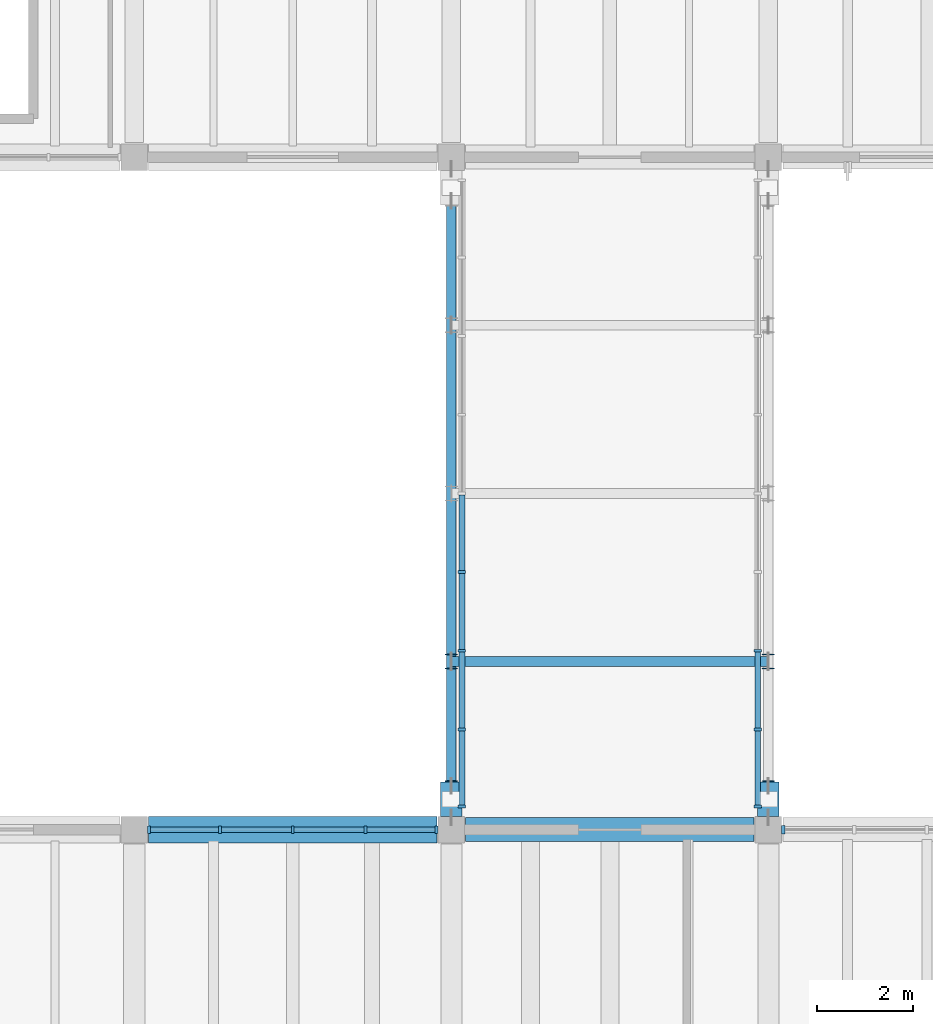
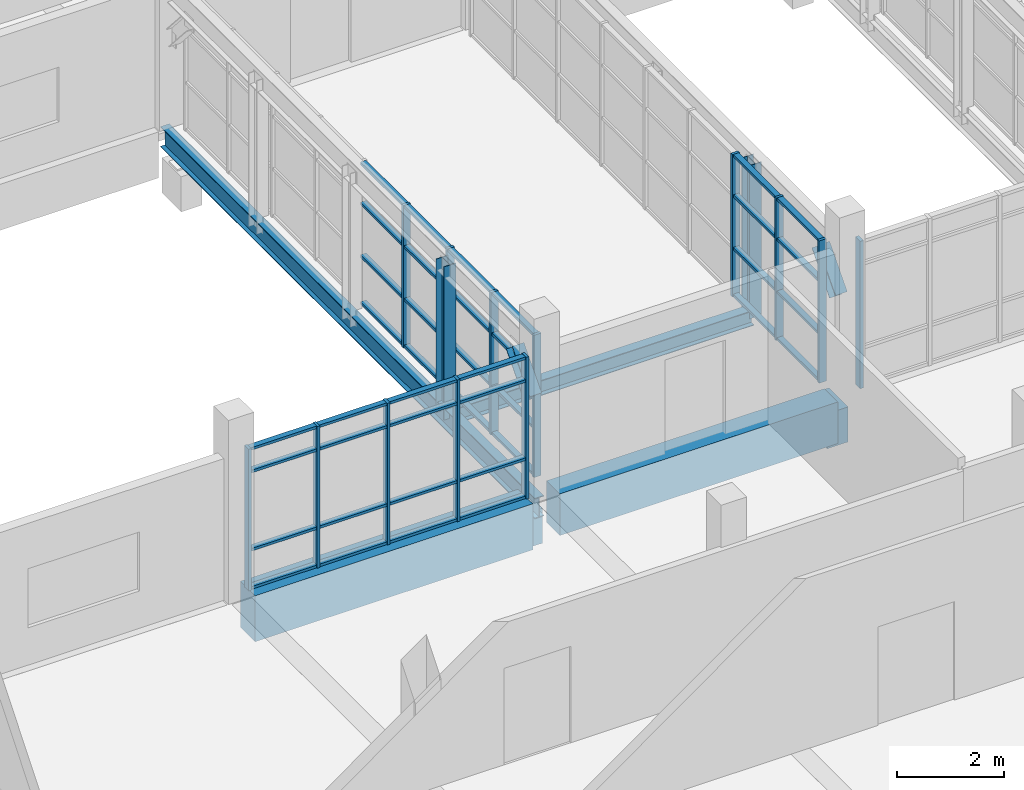
# One storey, part 18 of 67: 58 members, 5 beams, 4 elements without a shape of their own.
"""IFC4 building model written with IfcOpenShell, lengths in metres."""

from ifc_helpers import new_model, si_unit, direction, frame, origin, origin_2d, place, context, subcontext, project, spatial, rectangle, i_section, extrude, material, material_profile, profile_set, type_object, element, aggregate, save


model = new_model("IFC4")

# Units and contexts
model_context = context("Model", 3, precision=1e-05, world=origin(), true_north=direction((0.0, 1.0)))
body_context = subcontext(model_context, "Body", "Model", "MODEL_VIEW")
ifc_project = project(units=[si_unit("LENGTHUNIT", "METRE"), si_unit("AREAUNIT", "SQUARE_METRE"), si_unit("VOLUMEUNIT", "CUBIC_METRE"), si_unit("PLANEANGLEUNIT", "RADIAN"), si_unit("MASSUNIT", "GRAM", prefix="KILO")], contexts=[model_context])

# Site, building, storey
site_placement = place(None, origin())
site = spatial("IfcSite", under=ifc_project, at=site_placement, CompositionType="ELEMENT")
building_placement = place(site_placement, origin())
building = spatial("IfcBuilding", under=site, at=building_placement, Name="Ciguamira Faculty of Natural Sciences", CompositionType="ELEMENT")
storey_placement = place(building_placement, frame((0.0, 0.0, 8.39990234375)))
storey = spatial("IfcBuildingStorey", under=building, at=storey_placement, Name="L02", CompositionType="ELEMENT", Elevation=8.39990234375)

# Curtain wall, members
ifc_material_1 = material(Name="Anodized aluminium curtain wall", Category="aluminium")
curtain_wall_type_1 = type_object("IfcCurtainWallType", Name="CurtainWall_CW-04", PredefinedType="USERDEFINED", material=ifc_material_1)
curtain_wall_1_placement = place(storey_placement, origin())
curtain_wall_1 = element("IfcCurtainWall", 1, at=curtain_wall_1_placement, inside=storey, type_object=curtain_wall_type_1, Name="L02 unitised curtain wall 0064", ObjectType="UNITISED CURTAIN WALL", PredefinedType="USERDEFINED")
ifc_material_2 = material(Name="Anodized aluminium mullion", Category="aluminium")
ifc_material_profile_1 = material_profile(ifc_material_2, rectangle(XDim=0.06005859375, YDim=0.159912109375, at=origin_2d()), Name="ALU-MUL-60X160")
ifc_profile_set_1 = profile_set([ifc_material_profile_1], Name="Anodized aluminium mullion")
member_type_1 = type_object("IfcMemberType", Name="CWMullion_CWM-01", PredefinedType="MULLION", material=ifc_profile_set_1)
member_1_placement = place(storey_placement, frame((70.804931640625, 59.0, 0.0), z_axis=(0.0, 0.0, 1.0), x_axis=(1.0, 0.0, 0.0)))
member_1 = element("IfcMember", 2, at=member_1_placement, type_object=member_type_1, Name="CW-04 mullion 1", PredefinedType="MULLION", context=body_context, shape_type="SweptSolid", body=[
    extrude(rectangle(XDim=0.06005859375, YDim=0.159912109375, at=origin_2d()), origin(), (0.0, 0.0, 1.0), 3.235107421875),
])
member_2_placement = place(storey_placement, frame((72.28759765625, 59.0, 0.0), z_axis=(0.0, 0.0, 1.0), x_axis=(1.0, 0.0, 0.0)))
member_2 = element("IfcMember", 3, at=member_2_placement, type_object=member_type_1, Name="CW-04 mullion 2", PredefinedType="MULLION", context=body_context, shape_type="SweptSolid", body=[
    extrude(rectangle(XDim=0.06005859375, YDim=0.159912109375, at=origin_2d()), origin(), (0.0, 0.0, 1.0), 3.235107421875),
])
member_3_placement = place(storey_placement, frame((73.800048828125, 59.0, 0.0), z_axis=(0.0, 0.0, 1.0), x_axis=(1.0, 0.0, 0.0)))
member_3 = element("IfcMember", 4, at=member_3_placement, type_object=member_type_1, Name="CW-04 mullion 3", PredefinedType="MULLION", context=body_context, shape_type="SweptSolid", body=[
    extrude(rectangle(XDim=0.06005859375, YDim=0.159912109375, at=origin_2d()), origin(), (0.0, 0.0, 1.0), 3.235107421875),
])
member_4_placement = place(storey_placement, frame((75.3125, 59.0, 0.0), z_axis=(0.0, 0.0, 1.0), x_axis=(1.0, 0.0, 0.0)))
member_4 = element("IfcMember", 5, at=member_4_placement, type_object=member_type_1, Name="CW-04 mullion 4", PredefinedType="MULLION", context=body_context, shape_type="SweptSolid", body=[
    extrude(rectangle(XDim=0.06005859375, YDim=0.159912109375, at=origin_2d()), origin(), (0.0, 0.0, 1.0), 3.235107421875),
])
member_5_placement = place(storey_placement, frame((76.794921875, 59.0, 0.0), z_axis=(0.0, 0.0, 1.0), x_axis=(1.0, 0.0, 0.0)))
member_5 = element("IfcMember", 6, at=member_5_placement, type_object=member_type_1, Name="CW-04 mullion 5", PredefinedType="MULLION", context=body_context, shape_type="SweptSolid", body=[
    extrude(rectangle(XDim=0.06005859375, YDim=0.159912109375, at=origin_2d()), origin(), (0.0, 0.0, 1.0), 3.235107421875),
])

curtain_wall_type_2 = type_object("IfcCurtainWallType", Name="CurtainWall_CW-06", PredefinedType="USERDEFINED", material=ifc_material_1)
curtain_wall_2_placement = place(storey_placement, origin())
curtain_wall_2 = element("IfcCurtainWall", 7, at=curtain_wall_2_placement, inside=storey, type_object=curtain_wall_type_2, Name="Link bridge BR-1 glazed curtain wall W", ObjectType="UNITISED CURTAIN WALL", PredefinedType="USERDEFINED")
member_6_placement = place(storey_placement, frame((77.320068359375, 59.47998046875, 0.0), z_axis=(0.0, 0.0, 1.0), x_axis=(0.0, 1.0, 0.0)))
member_6 = element("IfcMember", 8, at=member_6_placement, type_object=member_type_1, Name="CW-06 mullion 1", PredefinedType="MULLION", context=body_context, shape_type="SweptSolid", body=[
    extrude(rectangle(XDim=0.06005859375, YDim=0.159912109375, at=origin_2d()), origin(), (0.0, 0.0, 1.0), 3.25),
])
member_7_placement = place(storey_placement, frame((77.320068359375, 61.08740234375, 0.0), z_axis=(0.0, 0.0, 1.0), x_axis=(0.0, 1.0, 0.0)))
member_7 = element("IfcMember", 9, at=member_7_placement, type_object=member_type_1, Name="CW-06 mullion 2", PredefinedType="MULLION", context=body_context, shape_type="SweptSolid", body=[
    extrude(rectangle(XDim=0.06005859375, YDim=0.159912109375, at=origin_2d()), origin(), (0.0, 0.0, 1.0), 3.25),
])
member_8_placement = place(storey_placement, frame((77.320068359375, 62.72509765625, 0.0), z_axis=(0.0, 0.0, 1.0), x_axis=(0.0, 1.0, 0.0)))
member_8 = element("IfcMember", 10, at=member_8_placement, type_object=member_type_1, Name="CW-06 mullion 3", PredefinedType="MULLION", context=body_context, shape_type="SweptSolid", body=[
    extrude(rectangle(XDim=0.06005859375, YDim=0.159912109375, at=origin_2d()), origin(), (0.0, 0.0, 1.0), 3.25),
])
member_9_placement = place(storey_placement, frame((77.320068359375, 64.362548828125, 0.0), z_axis=(0.0, 0.0, 1.0), x_axis=(0.0, 1.0, 0.0)))
member_9 = element("IfcMember", 11, at=member_9_placement, type_object=member_type_1, Name="CW-06 mullion 4", PredefinedType="MULLION", context=body_context, shape_type="SweptSolid", body=[
    extrude(rectangle(XDim=0.06005859375, YDim=0.159912109375, at=origin_2d()), origin(), (0.0, 0.0, 1.0), 3.25),
])

curtain_wall_type_3 = type_object("IfcCurtainWallType", Name="CurtainWall_CW-07", PredefinedType="USERDEFINED", material=ifc_material_1)
curtain_wall_3_placement = place(storey_placement, origin())
curtain_wall_3 = element("IfcCurtainWall", 12, at=curtain_wall_3_placement, inside=storey, type_object=curtain_wall_type_3, Name="Link bridge BR-1 glazed curtain wall E", ObjectType="UNITISED CURTAIN WALL", PredefinedType="USERDEFINED")
member_10_placement = place(storey_placement, frame((83.47998046875, 59.47998046875, 0.0), z_axis=(0.0, 0.0, 1.0), x_axis=(0.0, 1.0, 0.0)))
member_10 = element("IfcMember", 13, at=member_10_placement, type_object=member_type_1, Name="CW-07 mullion 1", PredefinedType="MULLION", context=body_context, shape_type="SweptSolid", body=[
    extrude(rectangle(XDim=0.06005859375, YDim=0.159912109375, at=origin_2d()), origin(), (0.0, 0.0, 1.0), 3.25),
])
member_11_placement = place(storey_placement, frame((83.47998046875, 61.08740234375, 0.0), z_axis=(0.0, 0.0, 1.0), x_axis=(0.0, 1.0, 0.0)))
member_11 = element("IfcMember", 14, at=member_11_placement, type_object=member_type_1, Name="CW-07 mullion 2", PredefinedType="MULLION", context=body_context, shape_type="SweptSolid", body=[
    extrude(rectangle(XDim=0.06005859375, YDim=0.159912109375, at=origin_2d()), origin(), (0.0, 0.0, 1.0), 3.25),
])
member_12_placement = place(storey_placement, frame((83.47998046875, 62.72509765625, 0.0), z_axis=(0.0, 0.0, 1.0), x_axis=(0.0, 1.0, 0.0)))
member_12 = element("IfcMember", 15, at=member_12_placement, type_object=member_type_1, Name="CW-07 mullion 3", PredefinedType="MULLION", context=body_context, shape_type="SweptSolid", body=[
    extrude(rectangle(XDim=0.06005859375, YDim=0.159912109375, at=origin_2d()), origin(), (0.0, 0.0, 1.0), 3.25),
])

# Curtain wall, member
curtain_wall_type_4 = type_object("IfcCurtainWallType", Name="CurtainWall_CW-05", PredefinedType="USERDEFINED", material=ifc_material_1)
curtain_wall_4_placement = place(storey_placement, origin())
curtain_wall_4 = element("IfcCurtainWall", 16, at=curtain_wall_4_placement, inside=storey, type_object=curtain_wall_type_4, Name="L02 unitised curtain wall 0065", ObjectType="UNITISED CURTAIN WALL", PredefinedType="USERDEFINED")
ifc_material_profile_2 = material_profile(ifc_material_2, rectangle(XDim=0.070068359375, YDim=0.179931640625, at=origin_2d()), Name="ALU-MUL-70X180")
ifc_profile_set_2 = profile_set([ifc_material_profile_2], Name="Anodized aluminium mullion")
member_type_2 = type_object("IfcMemberType", Name="CWMullion_CWM-02", PredefinedType="MULLION", material=ifc_profile_set_2)
member_13_placement = place(storey_placement, frame((84.010009765625, 59.0, 0.0), z_axis=(0.0, 0.0, 1.0), x_axis=(1.0, 0.0, 0.0)))
member_13 = element("IfcMember", 17, at=member_13_placement, type_object=member_type_2, Name="CW-05 mullion 1", PredefinedType="MULLION", context=body_context, shape_type="SweptSolid", body=[
    extrude(rectangle(XDim=0.070068359375, YDim=0.179931640625, at=origin_2d()), origin(), (0.0, 0.0, 1.0), 3.364990234375),
])
aggregate(curtain_wall_4, [member_13])

# Member
ifc_material_3 = material(Name="Anodized aluminium transom", Category="aluminium")
ifc_material_profile_3 = material_profile(ifc_material_3, rectangle(XDim=0.06005859375, YDim=0.1201171875, at=origin_2d()), Name="ALU-TRN-60X120")
ifc_profile_set_3 = profile_set([ifc_material_profile_3], Name="Anodized aluminium transom")
member_type_3 = type_object("IfcMemberType", Name="CWTransom_CWT-01", PredefinedType="USERDEFINED", material=ifc_profile_set_3)
member_14_placement = place(storey_placement, frame((70.8349609375, 59.0, 0.030029296875), z_axis=(1.0, 0.0, 0.0), x_axis=(0.0, 0.0, 1.0)))
member_14 = element("IfcMember", 18, at=member_14_placement, type_object=member_type_3, Name="CW-04 transom 1.1", ObjectType="TRANSOM", PredefinedType="USERDEFINED", context=body_context, shape_type="SweptSolid", body=[
    extrude(rectangle(XDim=0.06005859375, YDim=0.1201171875, at=origin_2d()), origin(), (0.0, 0.0, 1.0), 1.422607421875),
])

member_15_placement = place(storey_placement, frame((70.8349609375, 59.0, 0.900146484375), z_axis=(1.0, 0.0, 0.0), x_axis=(0.0, 0.0, 1.0)))
member_15 = element("IfcMember", 19, at=member_15_placement, type_object=member_type_3, Name="CW-04 transom 1.2", ObjectType="TRANSOM", PredefinedType="USERDEFINED", context=body_context, shape_type="SweptSolid", body=[
    extrude(rectangle(XDim=0.06005859375, YDim=0.1201171875, at=origin_2d()), origin(), (0.0, 0.0, 1.0), 1.422607421875),
])

member_16_placement = place(storey_placement, frame((70.8349609375, 59.0, 2.68505859375), z_axis=(1.0, 0.0, 0.0), x_axis=(0.0, 0.0, 1.0)))
member_16 = element("IfcMember", 20, at=member_16_placement, type_object=member_type_3, Name="CW-04 transom 1.3", ObjectType="TRANSOM", PredefinedType="USERDEFINED", context=body_context, shape_type="SweptSolid", body=[
    extrude(rectangle(XDim=0.06005859375, YDim=0.1201171875, at=origin_2d()), origin(), (0.0, 0.0, 1.0), 1.422607421875),
])

member_17_placement = place(storey_placement, frame((70.8349609375, 59.0, 3.205078125), z_axis=(1.0, 0.0, 0.0), x_axis=(0.0, 0.0, 1.0)))
member_17 = element("IfcMember", 21, at=member_17_placement, type_object=member_type_3, Name="CW-04 transom 1.4", ObjectType="TRANSOM", PredefinedType="USERDEFINED", context=body_context, shape_type="SweptSolid", body=[
    extrude(rectangle(XDim=0.06005859375, YDim=0.1201171875, at=origin_2d()), origin(), (0.0, 0.0, 1.0), 1.422607421875),
])

member_18_placement = place(storey_placement, frame((72.3173828125, 59.0, 0.030029296875), z_axis=(1.0, 0.0, 0.0), x_axis=(0.0, 0.0, 1.0)))
member_18 = element("IfcMember", 22, at=member_18_placement, type_object=member_type_3, Name="CW-04 transom 2.1", ObjectType="TRANSOM", PredefinedType="USERDEFINED", context=body_context, shape_type="SweptSolid", body=[
    extrude(rectangle(XDim=0.06005859375, YDim=0.1201171875, at=origin_2d()), origin(), (0.0, 0.0, 1.0), 1.45263671875),
])

member_19_placement = place(storey_placement, frame((72.3173828125, 59.0, 0.900146484375), z_axis=(1.0, 0.0, 0.0), x_axis=(0.0, 0.0, 1.0)))
member_19 = element("IfcMember", 23, at=member_19_placement, type_object=member_type_3, Name="CW-04 transom 2.2", ObjectType="TRANSOM", PredefinedType="USERDEFINED", context=body_context, shape_type="SweptSolid", body=[
    extrude(rectangle(XDim=0.06005859375, YDim=0.1201171875, at=origin_2d()), origin(), (0.0, 0.0, 1.0), 1.45263671875),
])

member_20_placement = place(storey_placement, frame((72.3173828125, 59.0, 2.68505859375), z_axis=(1.0, 0.0, 0.0), x_axis=(0.0, 0.0, 1.0)))
member_20 = element("IfcMember", 24, at=member_20_placement, type_object=member_type_3, Name="CW-04 transom 2.3", ObjectType="TRANSOM", PredefinedType="USERDEFINED", context=body_context, shape_type="SweptSolid", body=[
    extrude(rectangle(XDim=0.06005859375, YDim=0.1201171875, at=origin_2d()), origin(), (0.0, 0.0, 1.0), 1.45263671875),
])

member_21_placement = place(storey_placement, frame((72.3173828125, 59.0, 3.205078125), z_axis=(1.0, 0.0, 0.0), x_axis=(0.0, 0.0, 1.0)))
member_21 = element("IfcMember", 25, at=member_21_placement, type_object=member_type_3, Name="CW-04 transom 2.4", ObjectType="TRANSOM", PredefinedType="USERDEFINED", context=body_context, shape_type="SweptSolid", body=[
    extrude(rectangle(XDim=0.06005859375, YDim=0.1201171875, at=origin_2d()), origin(), (0.0, 0.0, 1.0), 1.45263671875),
])

member_22_placement = place(storey_placement, frame((73.830078125, 59.0, 0.030029296875), z_axis=(1.0, 0.0, 0.0), x_axis=(0.0, 0.0, 1.0)))
member_22 = element("IfcMember", 26, at=member_22_placement, type_object=member_type_3, Name="CW-04 transom 3.1", ObjectType="TRANSOM", PredefinedType="USERDEFINED", context=body_context, shape_type="SweptSolid", body=[
    extrude(rectangle(XDim=0.06005859375, YDim=0.1201171875, at=origin_2d()), origin(), (0.0, 0.0, 1.0), 1.452392578125),
])

member_23_placement = place(storey_placement, frame((73.830078125, 59.0, 0.900146484375), z_axis=(1.0, 0.0, 0.0), x_axis=(0.0, 0.0, 1.0)))
member_23 = element("IfcMember", 27, at=member_23_placement, type_object=member_type_3, Name="CW-04 transom 3.2", ObjectType="TRANSOM", PredefinedType="USERDEFINED", context=body_context, shape_type="SweptSolid", body=[
    extrude(rectangle(XDim=0.06005859375, YDim=0.1201171875, at=origin_2d()), origin(), (0.0, 0.0, 1.0), 1.452392578125),
])

member_24_placement = place(storey_placement, frame((73.830078125, 59.0, 2.68505859375), z_axis=(1.0, 0.0, 0.0), x_axis=(0.0, 0.0, 1.0)))
member_24 = element("IfcMember", 28, at=member_24_placement, type_object=member_type_3, Name="CW-04 transom 3.3", ObjectType="TRANSOM", PredefinedType="USERDEFINED", context=body_context, shape_type="SweptSolid", body=[
    extrude(rectangle(XDim=0.06005859375, YDim=0.1201171875, at=origin_2d()), origin(), (0.0, 0.0, 1.0), 1.452392578125),
])

member_25_placement = place(storey_placement, frame((73.830078125, 59.0, 3.205078125), z_axis=(1.0, 0.0, 0.0), x_axis=(0.0, 0.0, 1.0)))
member_25 = element("IfcMember", 29, at=member_25_placement, type_object=member_type_3, Name="CW-04 transom 3.4", ObjectType="TRANSOM", PredefinedType="USERDEFINED", context=body_context, shape_type="SweptSolid", body=[
    extrude(rectangle(XDim=0.06005859375, YDim=0.1201171875, at=origin_2d()), origin(), (0.0, 0.0, 1.0), 1.452392578125),
])

member_26_placement = place(storey_placement, frame((75.342529296875, 59.0, 0.030029296875), z_axis=(1.0, 0.0, 0.0), x_axis=(0.0, 0.0, 1.0)))
member_26 = element("IfcMember", 30, at=member_26_placement, type_object=member_type_3, Name="CW-04 transom 4.1", ObjectType="TRANSOM", PredefinedType="USERDEFINED", context=body_context, shape_type="SweptSolid", body=[
    extrude(rectangle(XDim=0.06005859375, YDim=0.1201171875, at=origin_2d()), origin(), (0.0, 0.0, 1.0), 1.42236328125),
])

member_27_placement = place(storey_placement, frame((75.342529296875, 59.0, 0.900146484375), z_axis=(1.0, 0.0, 0.0), x_axis=(0.0, 0.0, 1.0)))
member_27 = element("IfcMember", 31, at=member_27_placement, type_object=member_type_3, Name="CW-04 transom 4.2", ObjectType="TRANSOM", PredefinedType="USERDEFINED", context=body_context, shape_type="SweptSolid", body=[
    extrude(rectangle(XDim=0.06005859375, YDim=0.1201171875, at=origin_2d()), origin(), (0.0, 0.0, 1.0), 1.42236328125),
])

member_28_placement = place(storey_placement, frame((75.342529296875, 59.0, 2.68505859375), z_axis=(1.0, 0.0, 0.0), x_axis=(0.0, 0.0, 1.0)))
member_28 = element("IfcMember", 32, at=member_28_placement, type_object=member_type_3, Name="CW-04 transom 4.3", ObjectType="TRANSOM", PredefinedType="USERDEFINED", context=body_context, shape_type="SweptSolid", body=[
    extrude(rectangle(XDim=0.06005859375, YDim=0.1201171875, at=origin_2d()), origin(), (0.0, 0.0, 1.0), 1.42236328125),
])

member_29_placement = place(storey_placement, frame((75.342529296875, 59.0, 3.205078125), z_axis=(1.0, 0.0, 0.0), x_axis=(0.0, 0.0, 1.0)))
member_29 = element("IfcMember", 33, at=member_29_placement, type_object=member_type_3, Name="CW-04 transom 4.4", ObjectType="TRANSOM", PredefinedType="USERDEFINED", context=body_context, shape_type="SweptSolid", body=[
    extrude(rectangle(XDim=0.06005859375, YDim=0.1201171875, at=origin_2d()), origin(), (0.0, 0.0, 1.0), 1.42236328125),
])

aggregate(curtain_wall_1, [member_1, member_2, member_3, member_4, member_5, member_14, member_15, member_16, member_17, member_18, member_19, member_20, member_21, member_22, member_23, member_24, member_25, member_26, member_27, member_28, member_29])

member_30_placement = place(storey_placement, frame((77.320068359375, 59.510009765625, 0.030029296875), z_axis=(0.0, 1.0, 0.0), x_axis=(0.0, 0.0, 1.0)))
member_30 = element("IfcMember", 34, at=member_30_placement, type_object=member_type_3, Name="CW-06 transom 1.1", ObjectType="TRANSOM", PredefinedType="USERDEFINED", context=body_context, shape_type="SweptSolid", body=[
    extrude(rectangle(XDim=0.06005859375, YDim=0.1201171875, at=origin_2d()), origin(), (0.0, 0.0, 1.0), 1.547607421875),
])

member_31_placement = place(storey_placement, frame((77.320068359375, 59.510009765625, 1.10009765625), z_axis=(0.0, 1.0, 0.0), x_axis=(0.0, 0.0, 1.0)))
member_31 = element("IfcMember", 35, at=member_31_placement, type_object=member_type_3, Name="CW-06 transom 1.2", ObjectType="TRANSOM", PredefinedType="USERDEFINED", context=body_context, shape_type="SweptSolid", body=[
    extrude(rectangle(XDim=0.06005859375, YDim=0.1201171875, at=origin_2d()), origin(), (0.0, 0.0, 1.0), 1.547607421875),
])

member_32_placement = place(storey_placement, frame((77.320068359375, 59.510009765625, 2.300048828125), z_axis=(0.0, 1.0, 0.0), x_axis=(0.0, 0.0, 1.0)))
member_32 = element("IfcMember", 36, at=member_32_placement, type_object=member_type_3, Name="CW-06 transom 1.3", ObjectType="TRANSOM", PredefinedType="USERDEFINED", context=body_context, shape_type="SweptSolid", body=[
    extrude(rectangle(XDim=0.06005859375, YDim=0.1201171875, at=origin_2d()), origin(), (0.0, 0.0, 1.0), 1.547607421875),
])

member_33_placement = place(storey_placement, frame((77.320068359375, 59.510009765625, 3.22021484375), z_axis=(0.0, 1.0, 0.0), x_axis=(0.0, 0.0, 1.0)))
member_33 = element("IfcMember", 37, at=member_33_placement, type_object=member_type_3, Name="CW-06 transom 1.4", ObjectType="TRANSOM", PredefinedType="USERDEFINED", context=body_context, shape_type="SweptSolid", body=[
    extrude(rectangle(XDim=0.06005859375, YDim=0.1201171875, at=origin_2d()), origin(), (0.0, 0.0, 1.0), 1.547607421875),
])

member_34_placement = place(storey_placement, frame((77.320068359375, 61.117431640625, 0.030029296875), z_axis=(0.0, 1.0, 0.0), x_axis=(0.0, 0.0, 1.0)))
member_34 = element("IfcMember", 38, at=member_34_placement, type_object=member_type_3, Name="CW-06 transom 2.1", ObjectType="TRANSOM", PredefinedType="USERDEFINED", context=body_context, shape_type="SweptSolid", body=[
    extrude(rectangle(XDim=0.06005859375, YDim=0.1201171875, at=origin_2d()), origin(), (0.0, 0.0, 1.0), 1.57763671875),
])

member_35_placement = place(storey_placement, frame((77.320068359375, 61.117431640625, 1.10009765625), z_axis=(0.0, 1.0, 0.0), x_axis=(0.0, 0.0, 1.0)))
member_35 = element("IfcMember", 39, at=member_35_placement, type_object=member_type_3, Name="CW-06 transom 2.2", ObjectType="TRANSOM", PredefinedType="USERDEFINED", context=body_context, shape_type="SweptSolid", body=[
    extrude(rectangle(XDim=0.06005859375, YDim=0.1201171875, at=origin_2d()), origin(), (0.0, 0.0, 1.0), 1.57763671875),
])

member_36_placement = place(storey_placement, frame((77.320068359375, 61.117431640625, 2.300048828125), z_axis=(0.0, 1.0, 0.0), x_axis=(0.0, 0.0, 1.0)))
member_36 = element("IfcMember", 40, at=member_36_placement, type_object=member_type_3, Name="CW-06 transom 2.3", ObjectType="TRANSOM", PredefinedType="USERDEFINED", context=body_context, shape_type="SweptSolid", body=[
    extrude(rectangle(XDim=0.06005859375, YDim=0.1201171875, at=origin_2d()), origin(), (0.0, 0.0, 1.0), 1.57763671875),
])

member_37_placement = place(storey_placement, frame((77.320068359375, 61.117431640625, 3.22021484375), z_axis=(0.0, 1.0, 0.0), x_axis=(0.0, 0.0, 1.0)))
member_37 = element("IfcMember", 41, at=member_37_placement, type_object=member_type_3, Name="CW-06 transom 2.4", ObjectType="TRANSOM", PredefinedType="USERDEFINED", context=body_context, shape_type="SweptSolid", body=[
    extrude(rectangle(XDim=0.06005859375, YDim=0.1201171875, at=origin_2d()), origin(), (0.0, 0.0, 1.0), 1.57763671875),
])

member_38_placement = place(storey_placement, frame((77.320068359375, 62.7548828125, 0.030029296875), z_axis=(0.0, 1.0, 0.0), x_axis=(0.0, 0.0, 1.0)))
member_38 = element("IfcMember", 42, at=member_38_placement, type_object=member_type_3, Name="CW-06 transom 3.1", ObjectType="TRANSOM", PredefinedType="USERDEFINED", context=body_context, shape_type="SweptSolid", body=[
    extrude(rectangle(XDim=0.06005859375, YDim=0.1201171875, at=origin_2d()), origin(), (0.0, 0.0, 1.0), 1.57763671875),
])

member_39_placement = place(storey_placement, frame((77.320068359375, 62.7548828125, 1.10009765625), z_axis=(0.0, 1.0, 0.0), x_axis=(0.0, 0.0, 1.0)))
member_39 = element("IfcMember", 43, at=member_39_placement, type_object=member_type_3, Name="CW-06 transom 3.2", ObjectType="TRANSOM", PredefinedType="USERDEFINED", context=body_context, shape_type="SweptSolid", body=[
    extrude(rectangle(XDim=0.06005859375, YDim=0.1201171875, at=origin_2d()), origin(), (0.0, 0.0, 1.0), 1.57763671875),
])

member_40_placement = place(storey_placement, frame((77.320068359375, 62.7548828125, 2.300048828125), z_axis=(0.0, 1.0, 0.0), x_axis=(0.0, 0.0, 1.0)))
member_40 = element("IfcMember", 44, at=member_40_placement, type_object=member_type_3, Name="CW-06 transom 3.3", ObjectType="TRANSOM", PredefinedType="USERDEFINED", context=body_context, shape_type="SweptSolid", body=[
    extrude(rectangle(XDim=0.06005859375, YDim=0.1201171875, at=origin_2d()), origin(), (0.0, 0.0, 1.0), 1.57763671875),
])

member_41_placement = place(storey_placement, frame((77.320068359375, 62.7548828125, 3.22021484375), z_axis=(0.0, 1.0, 0.0), x_axis=(0.0, 0.0, 1.0)))
member_41 = element("IfcMember", 45, at=member_41_placement, type_object=member_type_3, Name="CW-06 transom 3.4", ObjectType="TRANSOM", PredefinedType="USERDEFINED", context=body_context, shape_type="SweptSolid", body=[
    extrude(rectangle(XDim=0.06005859375, YDim=0.1201171875, at=origin_2d()), origin(), (0.0, 0.0, 1.0), 1.57763671875),
])

member_42_placement = place(storey_placement, frame((77.320068359375, 64.392578125, 0.030029296875), z_axis=(0.0, 1.0, 0.0), x_axis=(0.0, 0.0, 1.0)))
member_42 = element("IfcMember", 46, at=member_42_placement, type_object=member_type_3, Name="CW-06 transom 4.1", ObjectType="TRANSOM", PredefinedType="USERDEFINED", context=body_context, shape_type="SweptSolid", body=[
    extrude(rectangle(XDim=0.06005859375, YDim=0.1201171875, at=origin_2d()), origin(), (0.0, 0.0, 1.0), 1.577392578125),
])

member_43_placement = place(storey_placement, frame((77.320068359375, 64.392578125, 1.10009765625), z_axis=(0.0, 1.0, 0.0), x_axis=(0.0, 0.0, 1.0)))
member_43 = element("IfcMember", 47, at=member_43_placement, type_object=member_type_3, Name="CW-06 transom 4.2", ObjectType="TRANSOM", PredefinedType="USERDEFINED", context=body_context, shape_type="SweptSolid", body=[
    extrude(rectangle(XDim=0.06005859375, YDim=0.1201171875, at=origin_2d()), origin(), (0.0, 0.0, 1.0), 1.577392578125),
])

member_44_placement = place(storey_placement, frame((77.320068359375, 64.392578125, 2.300048828125), z_axis=(0.0, 1.0, 0.0), x_axis=(0.0, 0.0, 1.0)))
member_44 = element("IfcMember", 48, at=member_44_placement, type_object=member_type_3, Name="CW-06 transom 4.3", ObjectType="TRANSOM", PredefinedType="USERDEFINED", context=body_context, shape_type="SweptSolid", body=[
    extrude(rectangle(XDim=0.06005859375, YDim=0.1201171875, at=origin_2d()), origin(), (0.0, 0.0, 1.0), 1.577392578125),
])

member_45_placement = place(storey_placement, frame((77.320068359375, 64.392578125, 3.22021484375), z_axis=(0.0, 1.0, 0.0), x_axis=(0.0, 0.0, 1.0)))
member_45 = element("IfcMember", 49, at=member_45_placement, type_object=member_type_3, Name="CW-06 transom 4.4", ObjectType="TRANSOM", PredefinedType="USERDEFINED", context=body_context, shape_type="SweptSolid", body=[
    extrude(rectangle(XDim=0.06005859375, YDim=0.1201171875, at=origin_2d()), origin(), (0.0, 0.0, 1.0), 1.577392578125),
])

aggregate(curtain_wall_2, [member_6, member_7, member_8, member_9, member_30, member_31, member_32, member_33, member_34, member_35, member_36, member_37, member_38, member_39, member_40, member_41, member_42, member_43, member_44, member_45])

member_46_placement = place(storey_placement, frame((83.47998046875, 59.510009765625, 0.030029296875), z_axis=(0.0, 1.0, 0.0), x_axis=(0.0, 0.0, 1.0)))
member_46 = element("IfcMember", 50, at=member_46_placement, type_object=member_type_3, Name="CW-07 transom 1.1", ObjectType="TRANSOM", PredefinedType="USERDEFINED", context=body_context, shape_type="SweptSolid", body=[
    extrude(rectangle(XDim=0.06005859375, YDim=0.1201171875, at=origin_2d()), origin(), (0.0, 0.0, 1.0), 1.547607421875),
])

member_47_placement = place(storey_placement, frame((83.47998046875, 59.510009765625, 1.10009765625), z_axis=(0.0, 1.0, 0.0), x_axis=(0.0, 0.0, 1.0)))
member_47 = element("IfcMember", 51, at=member_47_placement, type_object=member_type_3, Name="CW-07 transom 1.2", ObjectType="TRANSOM", PredefinedType="USERDEFINED", context=body_context, shape_type="SweptSolid", body=[
    extrude(rectangle(XDim=0.06005859375, YDim=0.1201171875, at=origin_2d()), origin(), (0.0, 0.0, 1.0), 1.547607421875),
])

member_48_placement = place(storey_placement, frame((83.47998046875, 59.510009765625, 2.300048828125), z_axis=(0.0, 1.0, 0.0), x_axis=(0.0, 0.0, 1.0)))
member_48 = element("IfcMember", 52, at=member_48_placement, type_object=member_type_3, Name="CW-07 transom 1.3", ObjectType="TRANSOM", PredefinedType="USERDEFINED", context=body_context, shape_type="SweptSolid", body=[
    extrude(rectangle(XDim=0.06005859375, YDim=0.1201171875, at=origin_2d()), origin(), (0.0, 0.0, 1.0), 1.547607421875),
])

member_49_placement = place(storey_placement, frame((83.47998046875, 59.510009765625, 3.22021484375), z_axis=(0.0, 1.0, 0.0), x_axis=(0.0, 0.0, 1.0)))
member_49 = element("IfcMember", 53, at=member_49_placement, type_object=member_type_3, Name="CW-07 transom 1.4", ObjectType="TRANSOM", PredefinedType="USERDEFINED", context=body_context, shape_type="SweptSolid", body=[
    extrude(rectangle(XDim=0.06005859375, YDim=0.1201171875, at=origin_2d()), origin(), (0.0, 0.0, 1.0), 1.547607421875),
])

member_50_placement = place(storey_placement, frame((83.47998046875, 61.117431640625, 0.030029296875), z_axis=(0.0, 1.0, 0.0), x_axis=(0.0, 0.0, 1.0)))
member_50 = element("IfcMember", 54, at=member_50_placement, type_object=member_type_3, Name="CW-07 transom 2.1", ObjectType="TRANSOM", PredefinedType="USERDEFINED", context=body_context, shape_type="SweptSolid", body=[
    extrude(rectangle(XDim=0.06005859375, YDim=0.1201171875, at=origin_2d()), origin(), (0.0, 0.0, 1.0), 1.57763671875),
])

member_51_placement = place(storey_placement, frame((83.47998046875, 61.117431640625, 1.10009765625), z_axis=(0.0, 1.0, 0.0), x_axis=(0.0, 0.0, 1.0)))
member_51 = element("IfcMember", 55, at=member_51_placement, type_object=member_type_3, Name="CW-07 transom 2.2", ObjectType="TRANSOM", PredefinedType="USERDEFINED", context=body_context, shape_type="SweptSolid", body=[
    extrude(rectangle(XDim=0.06005859375, YDim=0.1201171875, at=origin_2d()), origin(), (0.0, 0.0, 1.0), 1.57763671875),
])

member_52_placement = place(storey_placement, frame((83.47998046875, 61.117431640625, 2.300048828125), z_axis=(0.0, 1.0, 0.0), x_axis=(0.0, 0.0, 1.0)))
member_52 = element("IfcMember", 56, at=member_52_placement, type_object=member_type_3, Name="CW-07 transom 2.3", ObjectType="TRANSOM", PredefinedType="USERDEFINED", context=body_context, shape_type="SweptSolid", body=[
    extrude(rectangle(XDim=0.06005859375, YDim=0.1201171875, at=origin_2d()), origin(), (0.0, 0.0, 1.0), 1.57763671875),
])

member_53_placement = place(storey_placement, frame((83.47998046875, 61.117431640625, 3.22021484375), z_axis=(0.0, 1.0, 0.0), x_axis=(0.0, 0.0, 1.0)))
member_53 = element("IfcMember", 57, at=member_53_placement, type_object=member_type_3, Name="CW-07 transom 2.4", ObjectType="TRANSOM", PredefinedType="USERDEFINED", context=body_context, shape_type="SweptSolid", body=[
    extrude(rectangle(XDim=0.06005859375, YDim=0.1201171875, at=origin_2d()), origin(), (0.0, 0.0, 1.0), 1.57763671875),
])

aggregate(curtain_wall_3, [member_10, member_11, member_12, member_46, member_47, member_48, member_49, member_50, member_51, member_52, member_53])

# Beams
ifc_material_4 = material(Name="Concrete C40/50", Category="concrete")
ifc_material_profile_4 = material_profile(ifc_material_4, rectangle(XDim=0.550048828125, YDim=1.050048828125, at=origin_2d()), Name="RC-BM-550X1050")
ifc_profile_set_4 = profile_set([ifc_material_profile_4], Name="Concrete C40/50")
beam_type_1 = type_object("IfcBeamType", Name="RCBeam_BG-01_RC-BM-550X1050", PredefinedType="BEAM", material=ifc_profile_set_4)
beam_1_placement = place(storey_placement, frame((70.800048828125, 59.0, -0.52490234375), z_axis=(1.0, 0.0, 0.0), x_axis=(0.0, 1.0, 0.0)))
element("IfcBeam", 58, at=beam_1_placement, inside=storey, type_object=beam_type_1, Name="L02 RC girder EW-0803", PredefinedType="BEAM", context=body_context, shape_type="SweptSolid", body=[
    extrude(rectangle(XDim=0.550048828125, YDim=1.050048828125, at=origin_2d()), origin(), (0.0, 0.0, 1.0), 6.0),
])
ifc_material_profile_5 = material_profile(ifc_material_4, rectangle(XDim=0.5, YDim=0.949951171875, at=origin_2d()), Name="RC-BM-500X950")
ifc_profile_set_5 = profile_set([ifc_material_profile_5], Name="Concrete C40/50")
beam_type_2 = type_object("IfcBeamType", Name="RCBeam_BG-02_RC-BM-500X950", PredefinedType="BEAM", material=ifc_profile_set_5)
beam_2_placement = place(storey_placement, frame((77.39990234375, 59.0, -0.474853515625), z_axis=(1.0, 0.0, 0.0), x_axis=(0.0, 1.0, 0.0)))
element("IfcBeam", 59, at=beam_2_placement, inside=storey, type_object=beam_type_2, Name="L02 RC girder EW-0804", PredefinedType="BEAM", context=body_context, shape_type="SweptSolid", body=[
    extrude(rectangle(XDim=0.5, YDim=0.949951171875, at=origin_2d()), origin(), (0.0, 0.0, 1.0), 6.0),
])
ifc_material_profile_6 = material_profile(ifc_material_4, rectangle(XDim=0.449951171875, YDim=0.800048828125, at=origin_2d()), Name="RC-BM-450X800")
ifc_profile_set_6 = profile_set([ifc_material_profile_6], Name="Concrete C40/50")
beam_type_3 = type_object("IfcBeamType", Name="RCBeam_BG-05_RC-BM-450X800", PredefinedType="BEAM", material=ifc_profile_set_6)
for number, where, z_axis, x_axis, name in (
    (60, (77.10009765625, 59.27490234375, -1.015625), (0.0, 1.0, 0.0), (-1.0, 0.0, 0.0), "Link bridge BR-1 fixed south RC corbel seat 1"),
    (61, (83.699951171875, 59.27490234375, -1.015625), (0.0, 1.0, 0.0), (-1.0, 0.0, 0.0), "Link bridge BR-1 fixed south RC corbel seat 2"),
):
    element("IfcBeam", number, at=place(storey_placement, frame(where, z_axis=z_axis, x_axis=x_axis)), inside=storey, type_object=beam_type_3, Name=name, PredefinedType="BEAM", context=body_context, shape_type="SweptSolid", body=[
        extrude(rectangle(XDim=0.449951171875, YDim=0.800048828125, at=origin_2d()), origin(), (0.0, 0.0, 1.0), 0.72021484375),
    ])
ifc_material_5 = material(Name="Steel ASTM A992 Grade 50", Category="steel")
ifc_material_profile_7 = material_profile(ifc_material_5, i_section(OverallWidth=0.203125, OverallDepth=0.347900390625, WebThickness=0.0078125, FlangeThickness=0.013427734375, at=origin_2d()), Name="W14X43")
ifc_profile_set_7 = profile_set([ifc_material_profile_7], Name="Steel ASTM A992 Grade 50")
beam_type_4 = type_object("IfcBeamType", Name="SteelJoist_SJ-12_W14X43", PredefinedType="JOIST", material=ifc_profile_set_7)
beam_3_placement = place(storey_placement, frame((77.10009765625, 62.5, -0.393798828125), z_axis=(1.0, 0.0, 0.0), x_axis=(0.0, 1.0, 0.0)))
element("IfcBeam", 62, at=beam_3_placement, inside=storey, type_object=beam_type_4, Name="Link bridge BR-1 floor crossbeam 1", PredefinedType="JOIST", context=body_context, shape_type="SweptSolid", body=[
    extrude(i_section(OverallWidth=0.203125, OverallDepth=0.347900390625, WebThickness=0.0078125, FlangeThickness=0.013427734375, at=origin_2d()), origin(), (0.0, 0.0, 1.0), 6.599853515625),
])

# Members
ifc_material_profile_8 = material_profile(ifc_material_5, i_section(OverallWidth=0.19287109375, OverallDepth=0.46728515625, WebThickness=0.011474609375, FlangeThickness=0.01904296875, at=origin_2d()), Name="W18X65")
ifc_profile_set_8 = profile_set([ifc_material_profile_8], Name="Steel ASTM A992 Grade 50")
member_type_4 = type_object("IfcMemberType", Name="SteelMember_TC-01_W18X65", PredefinedType="CHORD", material=ifc_profile_set_8)
member_54_placement = place(storey_placement, frame((77.10009765625, 59.0, -0.349853515625), z_axis=(0.0, 1.0, 0.0), x_axis=(-1.0, 0.0, 0.0)))
element("IfcMember", 63, at=member_54_placement, inside=storey, type_object=member_type_4, Name="Link bridge BR-1 bottom truss chord 1", PredefinedType="CHORD", context=body_context, shape_type="SweptSolid", body=[
    extrude(i_section(OverallWidth=0.19287109375, OverallDepth=0.46728515625, WebThickness=0.011474609375, FlangeThickness=0.01904296875, at=origin_2d()), origin(), (0.0, 0.0, 1.0), 14.0),
])
ifc_material_profile_9 = material_profile(ifc_material_5, i_section(OverallWidth=0.25390625, OverallDepth=0.307373046875, WebThickness=0.0087890625, FlangeThickness=0.0146484375, at=origin_2d()), Name="W12X53")
ifc_profile_set_9 = profile_set([ifc_material_profile_9], Name="Steel ASTM A992 Grade 50")
member_type_5 = type_object("IfcMemberType", Name="SteelMember_TS-02_W12X53", PredefinedType="STRUT", material=ifc_profile_set_9)
for number, where, z_axis, x_axis, name in (
    (64, (77.10009765625, 62.5, -0.349853515625), (0.0, 0.0, 1.0), (1.0, 0.0, 0.0), "Link bridge BR-1 truss vertical 1-2"),
    (65, (83.699951171875, 62.5, -0.349853515625), (0.0, 0.0, 1.0), (1.0, 0.0, 0.0), "Link bridge BR-1 truss vertical 2-2"),
):
    element("IfcMember", number, at=place(storey_placement, frame(where, z_axis=z_axis, x_axis=x_axis)), inside=storey, type_object=member_type_5, Name=name, PredefinedType="STRUT", context=body_context, shape_type="SweptSolid", body=[
        extrude(i_section(OverallWidth=0.25390625, OverallDepth=0.307373046875, WebThickness=0.0087890625, FlangeThickness=0.0146484375, at=origin_2d()), origin(), (0.0, 0.0, 1.0), 3.5),
    ])
for number, where, z_axis, x_axis, name in (
    (66, (77.10009765625, 59.25, 2.034423828125), (0.0, 0.660578310858, 0.750757147967), (-1.0, 0.0, 0.0), "Link bridge BR-3 s corbel knee strut 1"),
    (67, (83.699951171875, 59.25, 2.034423828125), (0.0, 0.660578310858, 0.750757147967), (-1.0, 0.0, 0.0), "Link bridge BR-3 s corbel knee strut 2"),
):
    element("IfcMember", number, at=place(storey_placement, frame(where, z_axis=z_axis, x_axis=x_axis)), inside=storey, type_object=member_type_5, Name=name, PredefinedType="STRUT", context=body_context, shape_type="SweptSolid", body=[
        extrude(i_section(OverallWidth=0.25390625, OverallDepth=0.307373046875, WebThickness=0.0087890625, FlangeThickness=0.0146484375, at=origin_2d()), origin(), (0.0, 0.0, 1.0), 0.9990234375),
    ])

save(model, "model.ifc")
